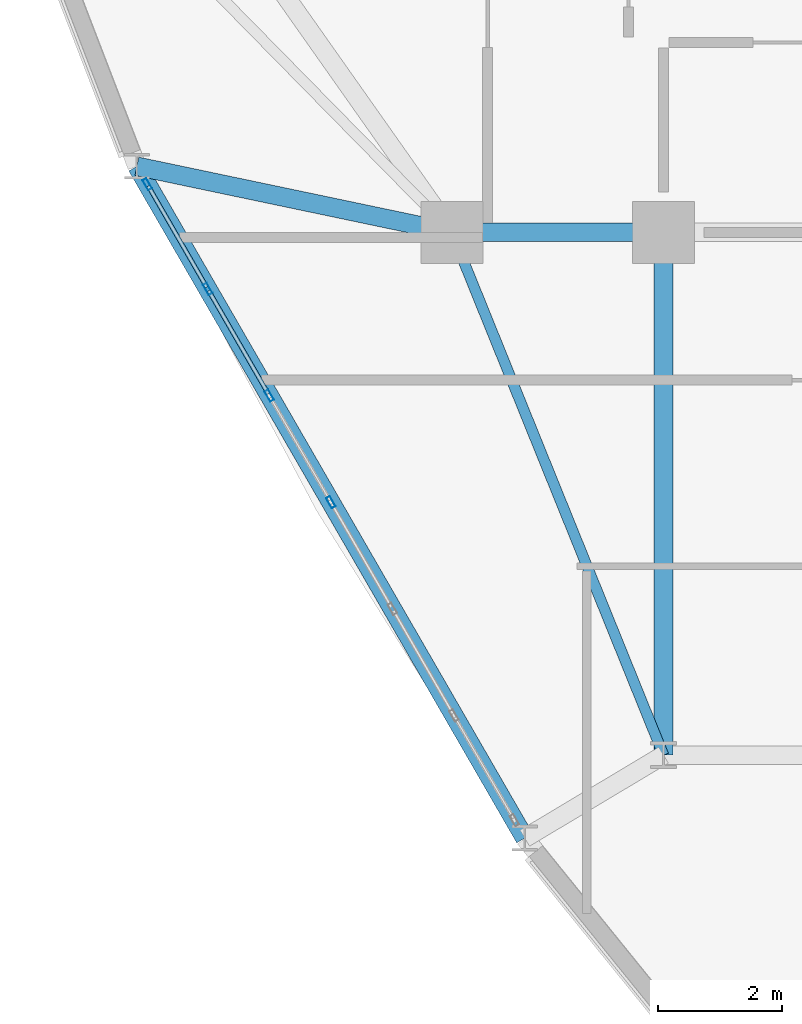
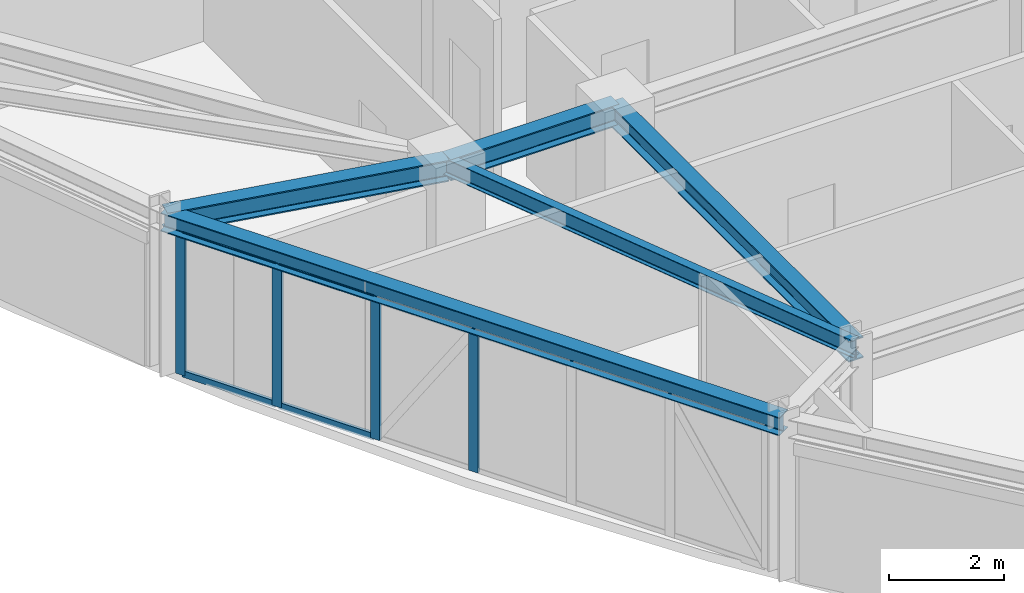
# One storey, part 4 of 14: 8 members, 5 beams, 1 element without a shape of its own.
"""IFC4 building model written with IfcOpenShell, lengths in metres."""

from ifc_helpers import new_model, si_unit, derived_unit, direction, frame, origin, origin_2d, place, context, subcontext, project, spatial, hollow_rectangle, i_section, extrude, source, transform, mapped, material, layer, layer_set, material_profile, profile_set, type_object, element, aggregate, save


model = new_model("IFC4")

# Units and contexts
model_context = context("Model", 3, precision=1e-05, world=origin(), true_north=direction((0.0, 1.0)))
body_context = subcontext(model_context, "Body", "Model", "MODEL_VIEW")
ifc_project = project(units=[si_unit("LENGTHUNIT", "METRE"), si_unit("AREAUNIT", "SQUARE_METRE"), si_unit("VOLUMEUNIT", "CUBIC_METRE"), si_unit("PLANEANGLEUNIT", "RADIAN"), si_unit("MASSUNIT", "GRAM", prefix="KILO"), derived_unit("THERMALTRANSMITTANCEUNIT", [(si_unit("POWERUNIT", "WATT"), 1), (si_unit("LENGTHUNIT", "METRE"), -2), (si_unit("THERMODYNAMICTEMPERATUREUNIT", "KELVIN"), -1)])], contexts=[model_context])

# Site, building, storey
site_placement = place(None, origin())
site = spatial("IfcSite", under=ifc_project, at=site_placement, CompositionType="ELEMENT")
building_placement = place(site_placement, origin())
building = spatial("IfcBuilding", under=site, at=building_placement, Name="Korsvarv Bourse and Concert Hall", CompositionType="ELEMENT")
storey_placement = place(building_placement, frame((0.0, 0.0, 193.800048828125)))
storey = spatial("IfcBuildingStorey", under=building, at=storey_placement, Name="L50", CompositionType="ELEMENT", Elevation=193.800048828125)

# Beams
ifc_material_1 = material(Name="Steel S355", Category="steel")
ifc_material_profile_1 = material_profile(ifc_material_1, i_section(OverallWidth=0.169921875, OverallDepth=0.360107421875, WebThickness=0.008056640625, FlangeThickness=0.0126953125, FilletRadius=0.01806640625, at=origin_2d()), Name="IPE 360")
ifc_profile_set_1 = profile_set([ifc_material_profile_1], Name="Steel S355")
beam_type_1 = type_object("IfcBeamType", Name="BM-IPE360", PredefinedType="JOIST", material=ifc_profile_set_1)
shared_shape_1 = source(origin(), body_context, "Body", "SweptSolid", [
    extrude(i_section(OverallWidth=0.169921875, OverallDepth=0.360107421875, WebThickness=0.008056640625, FlangeThickness=0.0126953125, FilletRadius=0.01806640625, at=origin_2d()), origin(), (0.0, 0.0, 1.0), 9.06201171875),
])
beam_1_placement = place(storey_placement, frame((24.199951171875, 32.39990234375, 3.219970703125), z_axis=(0.375210394783, -0.926939674222, 0.0), x_axis=(0.926939674222, 0.375210394783, 0.0)))
element("IfcBeam", 1, at=beam_1_placement, inside=storey, type_object=beam_type_1, Name="L50 beam J-06", PredefinedType="JOIST", context=body_context, shape_type="MappedRepresentation", body=[
    mapped(shared_shape_1, transform((0.0, 0.0, 0.0), scale=1.0)),
])
ifc_material_profile_2 = material_profile(ifc_material_1, i_section(OverallWidth=0.300048828125, OverallDepth=0.449951171875, WebThickness=0.013916015625, FlangeThickness=0.02587890625, FilletRadius=0.02099609375, at=origin_2d()), Name="HEB 450")
ifc_profile_set_2 = profile_set([ifc_material_profile_2], Name="Steel S355")
beam_type_2 = type_object("IfcBeamType", Name="BM-HEB450", PredefinedType="SPANDREL", material=ifc_profile_set_2)
shared_shape_2 = source(origin(), body_context, "Body", "SweptSolid", [
    extrude(i_section(OverallWidth=0.300048828125, OverallDepth=0.449951171875, WebThickness=0.013916015625, FlangeThickness=0.02587890625, FilletRadius=0.02099609375, at=origin_2d()), origin(), (0.0, 0.0, 1.0), 3.400146484375),
])
beam_2_placement = place(storey_placement, frame((24.199951171875, 32.39990234375, 3.175048828125), z_axis=(1.0, 0.0, 0.0), x_axis=(0.0, 1.0, 0.0)))
element("IfcBeam", 2, at=beam_2_placement, inside=storey, type_object=beam_type_2, Name="L50 beam B-08", PredefinedType="SPANDREL", context=body_context, shape_type="MappedRepresentation", body=[
    mapped(shared_shape_2, transform((0.0, 0.0, 0.0), scale=1.0)),
])
shared_shape_3 = source(origin(), body_context, "Body", "SweptSolid", [
    extrude(i_section(OverallWidth=0.300048828125, OverallDepth=0.449951171875, WebThickness=0.013916015625, FlangeThickness=0.02587890625, FilletRadius=0.02099609375, at=origin_2d()), origin(), (0.0, 0.0, 1.0), 8.39990234375),
])
beam_3_placement = place(storey_placement, frame((27.60009765625, 24.0, 3.175048828125), z_axis=(0.0, 1.0, 0.0), x_axis=(-1.0, 0.0, 0.0)))
element("IfcBeam", 3, at=beam_3_placement, inside=storey, type_object=beam_type_2, Name="L50 beam B-08", PredefinedType="SPANDREL", context=body_context, shape_type="MappedRepresentation", body=[
    mapped(shared_shape_3, transform((0.0, 0.0, 0.0), scale=1.0)),
])
ifc_material_profile_3 = material_profile(ifc_material_1, i_section(OverallWidth=0.300048828125, OverallDepth=0.389892578125, WebThickness=0.010986328125, FlangeThickness=0.01904296875, FilletRadius=0.02099609375, at=origin_2d()), Name="HEA 400")
ifc_profile_set_3 = profile_set([ifc_material_profile_3], Name="Steel S355")
beam_type_3 = type_object("IfcBeamType", Name="BM-HEA400", PredefinedType="BEAM", material=ifc_profile_set_3)
shared_shape_4 = source(origin(), body_context, "Body", "SweptSolid", [
    extrude(i_section(OverallWidth=0.300048828125, OverallDepth=0.389892578125, WebThickness=0.010986328125, FlangeThickness=0.01904296875, FilletRadius=0.02099609375, at=origin_2d()), origin(), (0.0, 0.0, 1.0), 12.46630859375),
])
beam_4_placement = place(storey_placement, frame((19.13818359375, 33.462158203125, 3.204833984375), z_axis=(0.499985219902, -0.86603393691, 0.0), x_axis=(0.86603393691, 0.499985219902, 0.0)))
element("IfcBeam", 4, at=beam_4_placement, inside=storey, type_object=beam_type_3, Name="L50 beam B-11", PredefinedType="BEAM", context=body_context, shape_type="MappedRepresentation", body=[
    mapped(shared_shape_4, transform((0.0, 0.0, 0.0), scale=1.0)),
])
shared_shape_5 = source(origin(), body_context, "Body", "SweptSolid", [
    extrude(i_section(OverallWidth=0.300048828125, OverallDepth=0.449951171875, WebThickness=0.013916015625, FlangeThickness=0.02587890625, FilletRadius=0.02099609375, at=origin_2d()), origin(), (0.0, 0.0, 1.0), 5.172119140625),
])
beam_5_placement = place(storey_placement, frame((19.13818359375, 33.462158203125, 3.175048828125), z_axis=(0.978681305513, -0.205384766328, 0.0), x_axis=(0.205384766328, 0.978681305513, 0.0)))
element("IfcBeam", 5, at=beam_5_placement, inside=storey, type_object=beam_type_2, Name="L50 beam B-08", PredefinedType="SPANDREL", context=body_context, shape_type="MappedRepresentation", body=[
    mapped(shared_shape_5, transform((0.0, 0.0, 0.0), scale=1.0)),
])

# Curtain wall, members
ifc_material_2 = material(Name="Anodised aluminium and triple low-E glazing", Category="glass")
ifc_layer = layer(ifc_material_2, 0.199951171875)
ifc_layer_set = layer_set([ifc_layer], Name="Anodised aluminium and triple low-E glazing")
curtain_wall_type = type_object("IfcCurtainWallType", Name="CW-SYS-3", PredefinedType="NOTDEFINED", material=ifc_layer_set)
curtain_wall_placement = place(storey_placement, origin())
curtain_wall = element("IfcCurtainWall", 6, at=curtain_wall_placement, inside=storey, type_object=curtain_wall_type, Name="L50 CW3 curtain wall CW-L50-F07", PredefinedType="NOTDEFINED")
ifc_material_3 = material(Name="Extruded aluminium EN AW-6063 T66", Category="aluminium")
ifc_material_profile_4 = material_profile(ifc_material_3, hollow_rectangle(XDim=0.06494140625, YDim=0.139892578125, WallThickness=0.00390625, at=origin_2d()), Name="ALU-T 65x140")
ifc_profile_set_4 = profile_set([ifc_material_profile_4], Name="Extruded aluminium EN AW-6063 T66")
member_type_1 = type_object("IfcMemberType", Name="CWT-140", PredefinedType="USERDEFINED", material=ifc_profile_set_4)
shared_shape_6 = source(origin(), body_context, "Body", "SweptSolid", [
    extrude(hollow_rectangle(XDim=0.06494140625, YDim=0.139892578125, WallThickness=0.00390625, at=origin_2d()), origin(), (0.0, 0.0, 1.0), 1.908447265625),
])
member_1_placement = place(storey_placement, frame((20.293701171875, 31.46044921875, 0.032470703125), z_axis=(0.500087889681, -0.865974654707, 0.0), x_axis=(0.865974654707, 0.500087889681, 0.0)))
member_1 = element("IfcMember", 7, at=member_1_placement, type_object=member_type_1, Name="CW3 transom 2.1", ObjectType="TRANSOM", PredefinedType="USERDEFINED", context=body_context, shape_type="MappedRepresentation", body=[
    mapped(shared_shape_6, transform((0.0, 0.0, 0.0), scale=1.0)),
])
member_2_placement = place(storey_placement, frame((20.293701171875, 31.46044921875, 2.9775390625), z_axis=(0.500087889681, -0.865974654707, 0.0), x_axis=(0.865974654707, 0.500087889681, 0.0)))
member_2 = element("IfcMember", 8, at=member_2_placement, type_object=member_type_1, Name="CW3 transom 2.2", ObjectType="TRANSOM", PredefinedType="USERDEFINED", context=body_context, shape_type="MappedRepresentation", body=[
    mapped(shared_shape_6, transform((0.0, 0.0, 0.0), scale=1.0)),
])
ifc_material_profile_5 = material_profile(ifc_material_3, hollow_rectangle(XDim=0.070068359375, YDim=0.18994140625, WallThickness=0.0048828125, at=origin_2d()), Name="ALU-M 70x190")
ifc_profile_set_5 = profile_set([ifc_material_profile_5], Name="Extruded aluminium EN AW-6063 T66")
member_type_2 = type_object("IfcMemberType", Name="CWM-190", PredefinedType="MULLION", material=ifc_profile_set_5)
shared_shape_7 = source(origin(), body_context, "Body", "SweptSolid", [
    extrude(hollow_rectangle(XDim=0.070068359375, YDim=0.18994140625, WallThickness=0.0048828125, at=origin_2d()), origin(), (0.0, 0.0, 1.0), 3.010009765625),
])
member_3_placement = place(storey_placement, frame((19.3046875, 33.173828125, 0.0), z_axis=(0.0, 0.0, 1.0), x_axis=(0.866029726531, 0.499992512708, 0.0)))
member_3 = element("IfcMember", 9, at=member_3_placement, type_object=member_type_2, Name="CW3 mullion 1", PredefinedType="MULLION", context=body_context, shape_type="MappedRepresentation", body=[
    mapped(shared_shape_7, transform((0.0, 0.0, 0.0), scale=1.0)),
])
member_4_placement = place(storey_placement, frame((20.2763671875, 31.490966796875, 0.0), z_axis=(0.0, 0.0, 1.0), x_axis=(0.866029726531, 0.499992512708, 0.0)))
member_4 = element("IfcMember", 10, at=member_4_placement, type_object=member_type_2, Name="CW3 mullion 2", PredefinedType="MULLION", context=body_context, shape_type="MappedRepresentation", body=[
    mapped(shared_shape_7, transform((0.0, 0.0, 0.0), scale=1.0)),
])
member_5_placement = place(storey_placement, frame((21.265380859375, 29.777587890625, 0.0), z_axis=(0.0, 0.0, 1.0), x_axis=(0.866029726531, 0.499992512708, 0.0)))
member_5 = element("IfcMember", 11, at=member_5_placement, type_object=member_type_2, Name="CW3 mullion 3", PredefinedType="MULLION", context=body_context, shape_type="MappedRepresentation", body=[
    mapped(shared_shape_7, transform((0.0, 0.0, 0.0), scale=1.0)),
])
member_6_placement = place(storey_placement, frame((22.254638671875, 28.064208984375, 0.0), z_axis=(0.0, 0.0, 1.0), x_axis=(0.866029726531, 0.499992512708, 0.0)))
member_6 = element("IfcMember", 12, at=member_6_placement, type_object=member_type_2, Name="CW3 mullion 4", PredefinedType="MULLION", context=body_context, shape_type="MappedRepresentation", body=[
    mapped(shared_shape_7, transform((0.0, 0.0, 0.0), scale=1.0)),
])
shared_shape_8 = source(origin(), body_context, "Body", "SweptSolid", [
    extrude(hollow_rectangle(XDim=0.06494140625, YDim=0.139892578125, WallThickness=0.00390625, at=origin_2d()), origin(), (0.0, 0.0, 1.0), 1.873291015625),
])
member_7_placement = place(storey_placement, frame((19.322021484375, 33.1435546875, 0.032470703125), z_axis=(0.500049599607, -0.865996765544, 0.0), x_axis=(0.865996765544, 0.500049599607, 0.0)))
member_7 = element("IfcMember", 13, at=member_7_placement, type_object=member_type_1, Name="CW3 transom 1.1", ObjectType="TRANSOM", PredefinedType="USERDEFINED", context=body_context, shape_type="MappedRepresentation", body=[
    mapped(shared_shape_8, transform((0.0, 0.0, 0.0), scale=1.0)),
])
member_8_placement = place(storey_placement, frame((19.322021484375, 33.1435546875, 2.9775390625), z_axis=(0.500049599607, -0.865996765544, 0.0), x_axis=(0.865996765544, 0.500049599607, 0.0)))
member_8 = element("IfcMember", 14, at=member_8_placement, type_object=member_type_1, Name="CW3 transom 1.2", ObjectType="TRANSOM", PredefinedType="USERDEFINED", context=body_context, shape_type="MappedRepresentation", body=[
    mapped(shared_shape_8, transform((0.0, 0.0, 0.0), scale=1.0)),
])
aggregate(curtain_wall, [member_3, member_4, member_5, member_6, member_7, member_8, member_1, member_2])

save(model, "model.ifc")
